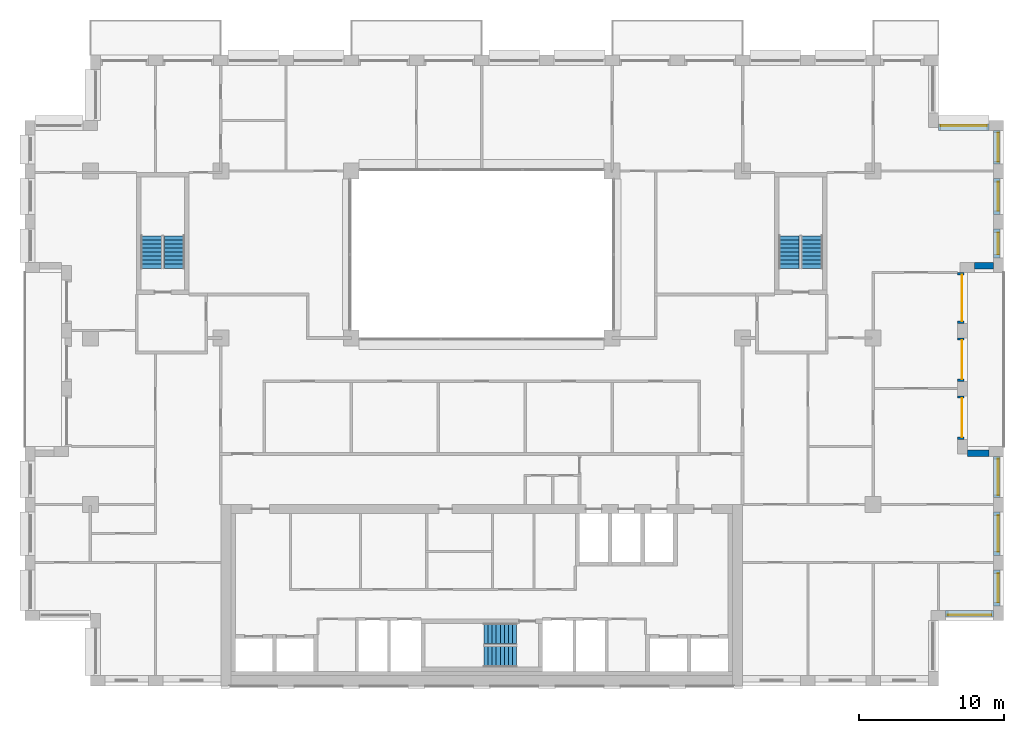
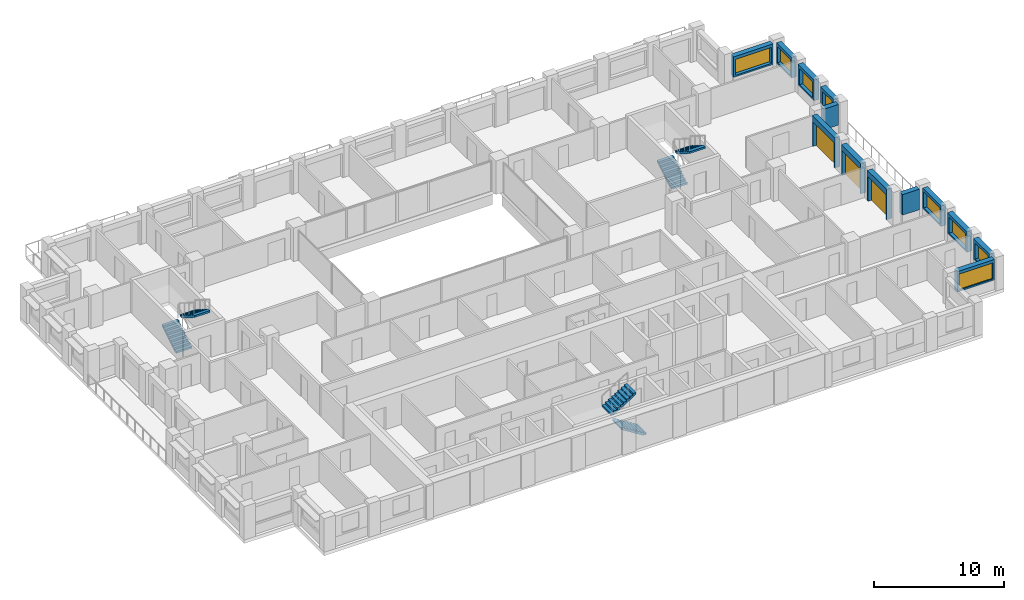
# One storey, part 14 of 15: 13 walls, 8 windows, 6 stair flights, 3 doors, 11 openings, 3 elements without a shape of their own.
"""IFC4 building model written with IfcOpenShell, lengths in metres."""

from ifc_helpers import new_model, si_unit, direction, frame, frame_2d, origin, place, context, subcontext, project, spatial, polyline, rectangle, outline, extrude, material, layer, layer_set, type_object, element, fill, aggregate, save


model = new_model("IFC4")

# Units and contexts
model_context = context("Model", 3, precision=1e-05, world=origin(), true_north=direction((0.0, 1.0)))
body_context = subcontext(model_context, "Body", "Model", "MODEL_VIEW")
ifc_project = project(units=[si_unit("LENGTHUNIT", "METRE"), si_unit("AREAUNIT", "SQUARE_METRE"), si_unit("VOLUMEUNIT", "CUBIC_METRE"), si_unit("PLANEANGLEUNIT", "RADIAN"), si_unit("MASSUNIT", "GRAM", prefix="KILO")], contexts=[model_context])

# Site, building, storey
site_placement = place(None, origin())
site = spatial("IfcSite", under=ifc_project, at=site_placement, CompositionType="ELEMENT")
building_placement = place(site_placement, origin())
building = spatial("IfcBuilding", under=site, at=building_placement, Name="Brigalow Station Residences", CompositionType="ELEMENT")
storey_placement = place(building_placement, frame((0.0, 0.0, 147.60009765625)))
storey = spatial("IfcBuildingStorey", under=building, at=storey_placement, Name="L42", CompositionType="ELEMENT", Elevation=147.60009765625)

# Wall, opening, window
ifc_material_1 = material(Name="Clay brick masonry", Category="masonry")
ifc_layer = layer(ifc_material_1, 0.449951171875)
ifc_layer_set = layer_set([ifc_layer], Name="BRICK INFILL WALL 450")
wall_type = type_object("IfcWallType", Name="BRICK INFILL WALL 450", PredefinedType="SOLIDWALL", material=ifc_layer_set)
wall_1_placement = place(storey_placement, frame((68.0, 4.97509765625, 0.89990234375), z_axis=(0.0, 0.0, 1.0), x_axis=(1.0, 0.0, 0.0)))
wall_1 = element("IfcWall", 1, at=wall_1_placement, inside=storey, type_object=wall_type, Name="L42/ewall/W-L42-8", PredefinedType="SOLIDWALL", context=body_context, shape_type="SweptSolid", body=[
    extrude(rectangle(XDim=3.300048828125, YDim=0.449951171875, at=frame_2d((1.64990234375, 0.0))), origin(), (0.0, 0.0, 1.0), 1.929931640625),
])
opening_1_placement = place(wall_1_placement, frame((0.14990234375, 0.0, 0.14990234375)))
opening_1 = element("IfcOpeningElement", 2, at=opening_1_placement, cuts=wall_1, Name="Opening WT-2", PredefinedType="OPENING", context=body_context, shape_type="SweptSolid", body=[
    extrude(rectangle(XDim=3.0, YDim=1.5, at=frame_2d((1.5, 0.75))), frame((0.0, 0.23486328125, 0.0), z_axis=(0.0, -1.0, 0.0), x_axis=(1.0, 0.0, 0.0)), (0.0, 0.0, 1.0), 0.469970703125),
])
ifc_material_2 = material(Name="Anodised aluminium frame with double glazing", Category="aluminium")
window_type_1 = type_object("IfcWindowType", Name="WINDOW 3000x1500", PartitioningType="SINGLE_PANEL", PredefinedType="WINDOW", material=ifc_material_2)
window_1_placement = place(opening_1_placement, origin())
window_1 = element("IfcWindow", 3, at=window_1_placement, inside=storey, type_object=window_type_1, Name="L42/window/W-L42-8", OverallHeight=1.5, OverallWidth=3.0, PartitioningType="SINGLE_PANEL", PredefinedType="WINDOW", context=body_context, shape_type="SweptSolid", body=[
    extrude(rectangle(XDim=3.0, YDim=1.5, at=frame_2d((1.5, 0.75))), frame((0.0, -0.06494140625, 0.0), z_axis=(0.0, -1.0, 0.0), x_axis=(1.0, 0.0, 0.0)), (0.0, 0.0, 1.0), 0.06005859375),
])
fill(opening_1, window_1)

wall_2_placement = place(storey_placement, frame((71.52490234375, 5.5, 0.89990234375), z_axis=(0.0, 0.0, 1.0), x_axis=(0.0, 1.0, 0.0)))
wall_2 = element("IfcWall", 4, at=wall_2_placement, inside=storey, type_object=wall_type, Name="L42/ewall/W-L42-9", PredefinedType="SOLIDWALL", context=body_context, shape_type="SweptSolid", body=[
    extrude(rectangle(XDim=2.5, YDim=0.449951171875, at=frame_2d((1.25, 0.0))), origin(), (0.0, 0.0, 1.0), 1.929931640625),
])
opening_2_placement = place(wall_2_placement, frame((0.25, 0.0, 0.14990234375)))
opening_2 = element("IfcOpeningElement", 5, at=opening_2_placement, cuts=wall_2, Name="Opening WT-7", PredefinedType="OPENING", context=body_context, shape_type="SweptSolid", body=[
    extrude(rectangle(XDim=2.0, YDim=1.5, at=frame_2d((1.0, 0.75))), frame((0.0, 0.23486328125, 0.0), z_axis=(0.0, -1.0, 0.0), x_axis=(1.0, 0.0, 0.0)), (0.0, 0.0, 1.0), 0.469970703125),
])
ifc_material_3 = material(Name="Anodised aluminium frame with double glazing", Category="aluminium")
window_type_2 = type_object("IfcWindowType", Name="WINDOW 2000x1500", PartitioningType="SINGLE_PANEL", PredefinedType="WINDOW", material=ifc_material_3)
window_2_placement = place(opening_2_placement, origin())
window_2 = element("IfcWindow", 6, at=window_2_placement, inside=storey, type_object=window_type_2, Name="L42/window/W-L42-9", OverallHeight=1.5, OverallWidth=2.0, PartitioningType="SINGLE_PANEL", PredefinedType="WINDOW", context=body_context, shape_type="SweptSolid", body=[
    extrude(rectangle(XDim=2.0, YDim=1.5, at=frame_2d((1.0, 0.75))), frame((0.0, -0.06494140625, 0.0), z_axis=(0.0, -1.0, 0.0), x_axis=(1.0, 0.0, 0.0)), (0.0, 0.0, 1.0), 0.06005859375),
])
fill(opening_2, window_2)

wall_3_placement = place(storey_placement, frame((71.52490234375, 9.0, 0.89990234375), z_axis=(0.0, 0.0, 1.0), x_axis=(0.0, 1.0, 0.0)))
wall_3 = element("IfcWall", 7, at=wall_3_placement, inside=storey, type_object=wall_type, Name="L42/ewall/W-L42-10", PredefinedType="SOLIDWALL", context=body_context, shape_type="SweptSolid", body=[
    extrude(rectangle(XDim=3.0, YDim=0.449951171875, at=frame_2d((1.5, 0.0))), origin(), (0.0, 0.0, 1.0), 1.929931640625),
])
opening_3_placement = place(wall_3_placement, frame((0.25, 0.0, 0.14990234375)))
opening_3 = element("IfcOpeningElement", 8, at=opening_3_placement, cuts=wall_3, Name="Opening WT-5", PredefinedType="OPENING", context=body_context, shape_type="SweptSolid", body=[
    extrude(rectangle(XDim=2.5, YDim=1.5, at=frame_2d((1.25, 0.75))), frame((0.0, 0.23486328125, 0.0), z_axis=(0.0, -1.0, 0.0), x_axis=(1.0, 0.0, 0.0)), (0.0, 0.0, 1.0), 0.469970703125),
])
ifc_material_4 = material(Name="Anodised aluminium frame with double glazing", Category="aluminium")
window_type_3 = type_object("IfcWindowType", Name="WINDOW 2500x1500", PartitioningType="SINGLE_PANEL", PredefinedType="WINDOW", material=ifc_material_4)
window_3_placement = place(opening_3_placement, origin())
window_3 = element("IfcWindow", 9, at=window_3_placement, inside=storey, type_object=window_type_3, Name="L42/window/W-L42-10", OverallHeight=1.5, OverallWidth=2.5, PartitioningType="SINGLE_PANEL", PredefinedType="WINDOW", context=body_context, shape_type="SweptSolid", body=[
    extrude(rectangle(XDim=2.5, YDim=1.5, at=frame_2d((1.25, 0.75))), frame((0.0, -0.06494140625, 0.0), z_axis=(0.0, -1.0, 0.0), x_axis=(1.0, 0.0, 0.0)), (0.0, 0.0, 1.0), 0.06005859375),
])
fill(opening_3, window_3)

wall_4_placement = place(storey_placement, frame((71.52490234375, 13.0, 0.89990234375), z_axis=(0.0, 0.0, 1.0), x_axis=(0.0, 1.0, 0.0)))
wall_4 = element("IfcWall", 10, at=wall_4_placement, inside=storey, type_object=wall_type, Name="L42/ewall/W-L42-11", PredefinedType="SOLIDWALL", context=body_context, shape_type="SweptSolid", body=[
    extrude(rectangle(XDim=2.800048828125, YDim=0.449951171875, at=frame_2d((1.39990234375, 0.0))), origin(), (0.0, 0.0, 1.0), 1.929931640625),
])
opening_4_placement = place(wall_4_placement, frame((0.14990234375, 0.0, 0.14990234375)))
opening_4 = element("IfcOpeningElement", 11, at=opening_4_placement, cuts=wall_4, Name="Opening WT-5", PredefinedType="OPENING", context=body_context, shape_type="SweptSolid", body=[
    extrude(rectangle(XDim=2.5, YDim=1.5, at=frame_2d((1.25, 0.75))), frame((0.0, 0.23486328125, 0.0), z_axis=(0.0, -1.0, 0.0), x_axis=(1.0, 0.0, 0.0)), (0.0, 0.0, 1.0), 0.469970703125),
])
window_4_placement = place(opening_4_placement, origin())
window_4 = element("IfcWindow", 12, at=window_4_placement, inside=storey, type_object=window_type_3, Name="L42/window/W-L42-11", OverallHeight=1.5, OverallWidth=2.5, PartitioningType="SINGLE_PANEL", PredefinedType="WINDOW", context=body_context, shape_type="SweptSolid", body=[
    extrude(rectangle(XDim=2.5, YDim=1.5, at=frame_2d((1.25, 0.75))), frame((0.0, -0.06494140625, 0.0), z_axis=(0.0, -1.0, 0.0), x_axis=(1.0, 0.0, 0.0)), (0.0, 0.0, 1.0), 0.06005859375),
])
fill(opening_4, window_4)

# Wall
wall_5_placement = place(storey_placement, frame((71.0, 16.02490234375, 0.89990234375), z_axis=(0.0, 0.0, 1.0), x_axis=(-1.0, 0.0, 0.0)))
element("IfcWall", 13, at=wall_5_placement, inside=storey, type_object=wall_type, Name="L42/ewall/W-L42-12", PredefinedType="SOLIDWALL", context=body_context, shape_type="SweptSolid", body=[
    extrude(rectangle(XDim=1.5, YDim=0.449951171875, at=frame_2d((0.75, 0.0))), origin(), (0.0, 0.0, 1.0), 1.929931640625),
])

# Wall, opening, door
wall_6_placement = place(storey_placement, frame((69.02490234375, 17.0, 0.0), z_axis=(0.0, 0.0, 1.0), x_axis=(0.0, 1.0, 0.0)))
wall_6 = element("IfcWall", 14, at=wall_6_placement, inside=storey, type_object=wall_type, Name="L42/ewall/W-L42-13", PredefinedType="SOLIDWALL", context=body_context, shape_type="SweptSolid", body=[
    extrude(rectangle(XDim=3.0, YDim=0.449951171875, at=frame_2d((1.5, 0.0))), origin(), (0.0, 0.0, 1.0), 2.829833984375),
])
opening_5_placement = place(wall_6_placement, frame((0.14990234375, 0.0, 0.0)))
opening_5 = element("IfcOpeningElement", 15, at=opening_5_placement, cuts=wall_6, Name="Opening D-B2700", PredefinedType="OPENING", context=body_context, shape_type="SweptSolid", body=[
    extrude(rectangle(XDim=2.699951171875, YDim=2.300048828125, at=frame_2d((1.35009765625, 1.14990234375))), frame((0.0, 0.23486328125, 0.0), z_axis=(0.0, -1.0, 0.0), x_axis=(1.0, 0.0, 0.0)), (0.0, 0.0, 1.0), 0.469970703125),
])
ifc_material_5 = material(Name="Anodised aluminium frame with double glazing", Category="aluminium")
door_type_1 = type_object("IfcDoorType", Name="BALCONY SLIDING DOOR 2700x2300", OperationType="SLIDING_TO_LEFT", PredefinedType="DOOR", material=ifc_material_5)
door_1_placement = place(opening_5_placement, origin())
door_1 = element("IfcDoor", 16, at=door_1_placement, inside=storey, type_object=door_type_1, Name="L42/balcony-door/W-L42-13", OperationType="SLIDING_TO_LEFT", OverallHeight=2.300048828125, OverallWidth=2.699951171875, PredefinedType="DOOR", context=body_context, shape_type="SweptSolid", body=[
    extrude(rectangle(XDim=2.699951171875, YDim=2.300048828125, at=frame_2d((1.35009765625, 1.14990234375))), frame((0.0, -0.06982421875, 0.0), z_axis=(0.0, -1.0, 0.0), x_axis=(1.0, 0.0, 0.0)), (0.0, 0.0, 1.0), 0.050048828125),
])
fill(opening_5, door_1)

wall_7_placement = place(storey_placement, frame((69.02490234375, 21.0, 0.0), z_axis=(0.0, 0.0, 1.0), x_axis=(0.0, 1.0, 0.0)))
wall_7 = element("IfcWall", 17, at=wall_7_placement, inside=storey, type_object=wall_type, Name="L42/ewall/W-L42-14", PredefinedType="SOLIDWALL", context=body_context, shape_type="SweptSolid", body=[
    extrude(rectangle(XDim=3.0, YDim=0.449951171875, at=frame_2d((1.5, 0.0))), origin(), (0.0, 0.0, 1.0), 2.829833984375),
])
opening_6_placement = place(wall_7_placement, frame((0.14990234375, 0.0, 0.0)))
opening_6 = element("IfcOpeningElement", 18, at=opening_6_placement, cuts=wall_7, Name="Opening D-B2700", PredefinedType="OPENING", context=body_context, shape_type="SweptSolid", body=[
    extrude(rectangle(XDim=2.699951171875, YDim=2.300048828125, at=frame_2d((1.35009765625, 1.14990234375))), frame((0.0, 0.23486328125, 0.0), z_axis=(0.0, -1.0, 0.0), x_axis=(1.0, 0.0, 0.0)), (0.0, 0.0, 1.0), 0.469970703125),
])
door_2_placement = place(opening_6_placement, origin())
door_2 = element("IfcDoor", 19, at=door_2_placement, inside=storey, type_object=door_type_1, Name="L42/balcony-door/W-L42-14", OperationType="SLIDING_TO_LEFT", OverallHeight=2.300048828125, OverallWidth=2.699951171875, PredefinedType="DOOR", context=body_context, shape_type="SweptSolid", body=[
    extrude(rectangle(XDim=2.699951171875, YDim=2.300048828125, at=frame_2d((1.35009765625, 1.14990234375))), frame((0.0, -0.06982421875, 0.0), z_axis=(0.0, -1.0, 0.0), x_axis=(1.0, 0.0, 0.0)), (0.0, 0.0, 1.0), 0.050048828125),
])
fill(opening_6, door_2)

wall_8_placement = place(storey_placement, frame((69.02490234375, 25.0, 0.0), z_axis=(0.0, 0.0, 1.0), x_axis=(0.0, 1.0, 0.0)))
wall_8 = element("IfcWall", 20, at=wall_8_placement, inside=storey, type_object=wall_type, Name="L42/ewall/W-L42-15", PredefinedType="SOLIDWALL", context=body_context, shape_type="SweptSolid", body=[
    extrude(rectangle(XDim=3.5, YDim=0.449951171875, at=frame_2d((1.75, 0.0))), origin(), (0.0, 0.0, 1.0), 2.829833984375),
])
opening_7_placement = place(wall_8_placement, frame((0.14990234375, 0.0, 0.0)))
opening_7 = element("IfcOpeningElement", 21, at=opening_7_placement, cuts=wall_8, Name="Opening D-B3200", PredefinedType="OPENING", context=body_context, shape_type="SweptSolid", body=[
    extrude(rectangle(XDim=3.199951171875, YDim=2.300048828125, at=frame_2d((1.60009765625, 1.14990234375))), frame((0.0, 0.23486328125, 0.0), z_axis=(0.0, -1.0, 0.0), x_axis=(1.0, 0.0, 0.0)), (0.0, 0.0, 1.0), 0.469970703125),
])
ifc_material_6 = material(Name="Anodised aluminium frame with double glazing", Category="aluminium")
door_type_2 = type_object("IfcDoorType", Name="BALCONY SLIDING DOOR 3200x2300", OperationType="SLIDING_TO_LEFT", PredefinedType="DOOR", material=ifc_material_6)
door_3_placement = place(opening_7_placement, origin())
door_3 = element("IfcDoor", 22, at=door_3_placement, inside=storey, type_object=door_type_2, Name="L42/balcony-door/W-L42-15", OperationType="SLIDING_TO_LEFT", OverallHeight=2.300048828125, OverallWidth=3.199951171875, PredefinedType="DOOR", context=body_context, shape_type="SweptSolid", body=[
    extrude(rectangle(XDim=3.199951171875, YDim=2.300048828125, at=frame_2d((1.60009765625, 1.14990234375))), frame((0.0, -0.06982421875, 0.0), z_axis=(0.0, -1.0, 0.0), x_axis=(1.0, 0.0, 0.0)), (0.0, 0.0, 1.0), 0.050048828125),
])
fill(opening_7, door_3)

# Wall
wall_9_placement = place(storey_placement, frame((70.0, 28.97509765625, 0.89990234375), z_axis=(0.0, 0.0, 1.0), x_axis=(1.0, 0.0, 0.0)))
element("IfcWall", 23, at=wall_9_placement, inside=storey, type_object=wall_type, Name="L42/ewall/W-L42-16", PredefinedType="SOLIDWALL", context=body_context, shape_type="SweptSolid", body=[
    extrude(rectangle(XDim=1.300048828125, YDim=0.449951171875, at=frame_2d((0.64990234375, 0.0))), origin(), (0.0, 0.0, 1.0), 1.929931640625),
])

# Wall, opening, window
wall_10_placement = place(storey_placement, frame((71.52490234375, 29.5, 0.89990234375), z_axis=(0.0, 0.0, 1.0), x_axis=(0.0, 1.0, 0.0)))
wall_10 = element("IfcWall", 24, at=wall_10_placement, inside=storey, type_object=wall_type, Name="L42/ewall/W-L42-17", PredefinedType="SOLIDWALL", context=body_context, shape_type="SweptSolid", body=[
    extrude(rectangle(XDim=2.0, YDim=0.449951171875, at=frame_2d((1.0, 0.0))), origin(), (0.0, 0.0, 1.0), 1.929931640625),
])
opening_8_placement = place(wall_10_placement, frame((0.25, 0.0, 0.14990234375)))
opening_8 = element("IfcOpeningElement", 25, at=opening_8_placement, cuts=wall_10, Name="Opening WT-1", PredefinedType="OPENING", context=body_context, shape_type="SweptSolid", body=[
    extrude(rectangle(XDim=1.5, YDim=1.5, at=frame_2d((0.75, 0.75))), frame((0.0, 0.23486328125, 0.0), z_axis=(0.0, -1.0, 0.0), x_axis=(1.0, 0.0, 0.0)), (0.0, 0.0, 1.0), 0.469970703125),
])
ifc_material_7 = material(Name="Anodised aluminium frame with double glazing", Category="aluminium")
window_type_4 = type_object("IfcWindowType", Name="WINDOW 1500x1500", PartitioningType="SINGLE_PANEL", PredefinedType="WINDOW", material=ifc_material_7)
window_5_placement = place(opening_8_placement, origin())
window_5 = element("IfcWindow", 26, at=window_5_placement, inside=storey, type_object=window_type_4, Name="L42/window/W-L42-17", OverallHeight=1.5, OverallWidth=1.5, PartitioningType="SINGLE_PANEL", PredefinedType="WINDOW", context=body_context, shape_type="SweptSolid", body=[
    extrude(rectangle(XDim=1.5, YDim=1.5, at=frame_2d((0.75, 0.75))), frame((0.0, -0.06494140625, 0.0), z_axis=(0.0, -1.0, 0.0), x_axis=(1.0, 0.0, 0.0)), (0.0, 0.0, 1.0), 0.06005859375),
])
fill(opening_8, window_5)

wall_11_placement = place(storey_placement, frame((71.52490234375, 32.5, 0.89990234375), z_axis=(0.0, 0.0, 1.0), x_axis=(0.0, 1.0, 0.0)))
wall_11 = element("IfcWall", 27, at=wall_11_placement, inside=storey, type_object=wall_type, Name="L42/ewall/W-L42-18", PredefinedType="SOLIDWALL", context=body_context, shape_type="SweptSolid", body=[
    extrude(rectangle(XDim=2.5, YDim=0.449951171875, at=frame_2d((1.25, 0.0))), origin(), (0.0, 0.0, 1.0), 1.929931640625),
])
opening_9_placement = place(wall_11_placement, frame((0.25, 0.0, 0.14990234375)))
opening_9 = element("IfcOpeningElement", 28, at=opening_9_placement, cuts=wall_11, Name="Opening WT-7", PredefinedType="OPENING", context=body_context, shape_type="SweptSolid", body=[
    extrude(rectangle(XDim=2.0, YDim=1.5, at=frame_2d((1.0, 0.75))), frame((0.0, 0.23486328125, 0.0), z_axis=(0.0, -1.0, 0.0), x_axis=(1.0, 0.0, 0.0)), (0.0, 0.0, 1.0), 0.469970703125),
])
window_6_placement = place(opening_9_placement, origin())
window_6 = element("IfcWindow", 29, at=window_6_placement, inside=storey, type_object=window_type_2, Name="L42/window/W-L42-18", OverallHeight=1.5, OverallWidth=2.0, PartitioningType="SINGLE_PANEL", PredefinedType="WINDOW", context=body_context, shape_type="SweptSolid", body=[
    extrude(rectangle(XDim=2.0, YDim=1.5, at=frame_2d((1.0, 0.75))), frame((0.0, -0.06494140625, 0.0), z_axis=(0.0, -1.0, 0.0), x_axis=(1.0, 0.0, 0.0)), (0.0, 0.0, 1.0), 0.06005859375),
])
fill(opening_9, window_6)

wall_12_placement = place(storey_placement, frame((71.52490234375, 36.0, 0.89990234375), z_axis=(0.0, 0.0, 1.0), x_axis=(0.0, 1.0, 0.0)))
wall_12 = element("IfcWall", 30, at=wall_12_placement, inside=storey, type_object=wall_type, Name="L42/ewall/W-L42-19", PredefinedType="SOLIDWALL", context=body_context, shape_type="SweptSolid", body=[
    extrude(rectangle(XDim=2.300048828125, YDim=0.449951171875, at=frame_2d((1.14990234375, 0.0))), origin(), (0.0, 0.0, 1.0), 1.929931640625),
])
opening_10_placement = place(wall_12_placement, frame((0.14990234375, 0.0, 0.14990234375)))
opening_10 = element("IfcOpeningElement", 31, at=opening_10_placement, cuts=wall_12, Name="Opening WT-7", PredefinedType="OPENING", context=body_context, shape_type="SweptSolid", body=[
    extrude(rectangle(XDim=2.0, YDim=1.5, at=frame_2d((1.0, 0.75))), frame((0.0, 0.23486328125, 0.0), z_axis=(0.0, -1.0, 0.0), x_axis=(1.0, 0.0, 0.0)), (0.0, 0.0, 1.0), 0.469970703125),
])
window_7_placement = place(opening_10_placement, origin())
window_7 = element("IfcWindow", 32, at=window_7_placement, inside=storey, type_object=window_type_2, Name="L42/window/W-L42-19", OverallHeight=1.5, OverallWidth=2.0, PartitioningType="SINGLE_PANEL", PredefinedType="WINDOW", context=body_context, shape_type="SweptSolid", body=[
    extrude(rectangle(XDim=2.0, YDim=1.5, at=frame_2d((1.0, 0.75))), frame((0.0, -0.06494140625, 0.0), z_axis=(0.0, -1.0, 0.0), x_axis=(1.0, 0.0, 0.0)), (0.0, 0.0, 1.0), 0.06005859375),
])
fill(opening_10, window_7)

wall_13_placement = place(storey_placement, frame((71.0, 38.52490234375, 0.89990234375), z_axis=(0.0, 0.0, 1.0), x_axis=(-1.0, 0.0, 0.0)))
wall_13 = element("IfcWall", 33, at=wall_13_placement, inside=storey, type_object=wall_type, Name="L42/ewall/W-L42-20", PredefinedType="SOLIDWALL", context=body_context, shape_type="SweptSolid", body=[
    extrude(rectangle(XDim=3.5, YDim=0.449951171875, at=frame_2d((1.75, 0.0))), origin(), (0.0, 0.0, 1.0), 1.929931640625),
])
opening_11_placement = place(wall_13_placement, frame((0.14990234375, 0.0, 0.14990234375)))
opening_11 = element("IfcOpeningElement", 34, at=opening_11_placement, cuts=wall_13, Name="Opening WT-9", PredefinedType="OPENING", context=body_context, shape_type="SweptSolid", body=[
    extrude(rectangle(XDim=3.199951171875, YDim=1.5, at=frame_2d((1.60009765625, 0.75))), frame((0.0, 0.23486328125, 0.0), z_axis=(0.0, -1.0, 0.0), x_axis=(1.0, 0.0, 0.0)), (0.0, 0.0, 1.0), 0.469970703125),
])
ifc_material_8 = material(Name="Anodised aluminium frame with double glazing", Category="aluminium")
window_type_5 = type_object("IfcWindowType", Name="WINDOW 3200x1500", PartitioningType="SINGLE_PANEL", PredefinedType="WINDOW", material=ifc_material_8)
window_8_placement = place(opening_11_placement, origin())
window_8 = element("IfcWindow", 35, at=window_8_placement, inside=storey, type_object=window_type_5, Name="L42/window/W-L42-20", OverallHeight=1.5, OverallWidth=3.199951171875, PartitioningType="SINGLE_PANEL", PredefinedType="WINDOW", context=body_context, shape_type="SweptSolid", body=[
    extrude(rectangle(XDim=3.199951171875, YDim=1.5, at=frame_2d((1.60009765625, 0.75))), frame((0.0, -0.06494140625, 0.0), z_axis=(0.0, -1.0, 0.0), x_axis=(1.0, 0.0, 0.0)), (0.0, 0.0, 1.0), 0.06005859375),
])
fill(opening_11, window_8)

# Stair, stair flights
ifc_material_9 = material(Name="Concrete C50", Category="concrete")
stair_type = type_object("IfcStairType", Name="EXIT STAIR 1400 2 FLIGHT", PredefinedType="HALF_TURN_STAIR", material=ifc_material_9)
stair_1_placement = place(storey_placement, origin())
stair_1 = element("IfcStair", 36, at=stair_1_placement, inside=storey, type_object=stair_type, Name="EXIT STAIR S2 L42", PredefinedType="HALF_TURN_STAIR")
ifc_material_10 = material(Name="Concrete C50", Category="concrete")
stair_flight_type = type_object("IfcStairFlightType", Name="STAIR FLIGHT 1400", PredefinedType="STRAIGHT", material=ifc_material_10)
stair_flight_1_placement = place(storey_placement, frame((38.39990234375, 2.0, 0.0), z_axis=(0.0, 0.0, 1.0), x_axis=(-1.0, 0.0, 0.0)))
stair_flight_1 = element("IfcStairFlight", 37, at=stair_flight_1_placement, type_object=stair_flight_type, Name="ST-2 flight 1", NumberOfRisers=9, NumberOfTreads=8, PredefinedType="STRAIGHT", RiserHeight=0.175, TreadLength=0.28, context=body_context, shape_type="SweptSolid", body=[
    extrude(outline(polyline([(0.0, 0.0), (0.0, 0.175048828125), (0.280029296875, 0.175048828125), (0.280029296875, 0.35009765625), (0.56005859375, 0.35009765625), (0.56005859375, 0.52490234375), (0.840087890625, 0.52490234375), (0.840087890625, 0.699951171875), (1.1201171875, 0.699951171875), (1.1201171875, 0.875), (1.39990234375, 0.875), (1.39990234375, 1.050048828125), (1.679931640625, 1.050048828125), (1.679931640625, 1.22509765625), (1.9599609375, 1.22509765625), (1.9599609375, 1.39990234375), (2.239990234375, 1.39990234375), (2.239990234375, 1.574951171875), (2.239990234375, 1.22314453125), (0.28271484375, 0.0), (0.0, 0.0)])), frame((0.0, 0.699951171875, 0.0), z_axis=(0.0, -1.0, 0.0), x_axis=(1.0, 0.0, 0.0)), (0.0, 0.0, 1.0), 1.39990234375),
])
stair_flight_2_placement = place(storey_placement, frame((36.159912109375, 3.60009765625, 1.574951171875), z_axis=(0.0, 0.0, 1.0), x_axis=(1.0, 0.0, 0.0)))
stair_flight_2 = element("IfcStairFlight", 38, at=stair_flight_2_placement, type_object=stair_flight_type, Name="ST-2 flight 2", NumberOfRisers=9, NumberOfTreads=8, PredefinedType="STRAIGHT", RiserHeight=0.175, TreadLength=0.28, context=body_context, shape_type="SweptSolid", body=[
    extrude(outline(polyline([(0.0, 0.0), (0.0, 0.175048828125), (0.280029296875, 0.175048828125), (0.280029296875, 0.35009765625), (0.56005859375, 0.35009765625), (0.56005859375, 0.52490234375), (0.840087890625, 0.52490234375), (0.840087890625, 0.699951171875), (1.1201171875, 0.699951171875), (1.1201171875, 0.875), (1.39990234375, 0.875), (1.39990234375, 1.050048828125), (1.679931640625, 1.050048828125), (1.679931640625, 1.22509765625), (1.9599609375, 1.22509765625), (1.9599609375, 1.39990234375), (2.239990234375, 1.39990234375), (2.239990234375, 1.574951171875), (2.239990234375, 1.22314453125), (0.28271484375, 0.0), (0.0, 0.0)])), frame((0.0, 0.699951171875, 0.0), z_axis=(0.0, -1.0, 0.0), x_axis=(1.0, 0.0, 0.0)), (0.0, 0.0, 1.0), 1.39990234375),
])
aggregate(stair_1, [stair_flight_1, stair_flight_2])

stair_2_placement = place(storey_placement, origin())
stair_2 = element("IfcStair", 39, at=stair_2_placement, inside=storey, type_object=stair_type, Name="EXIT STAIR S1 L42", PredefinedType="HALF_TURN_STAIR")
stair_flight_3_placement = place(storey_placement, frame((13.199951171875, 28.800048828125, 0.0), z_axis=(0.0, 0.0, 1.0), x_axis=(0.0, 1.0, 0.0)))
stair_flight_3 = element("IfcStairFlight", 40, at=stair_flight_3_placement, type_object=stair_flight_type, Name="ST-1 flight 1", NumberOfRisers=9, NumberOfTreads=8, PredefinedType="STRAIGHT", RiserHeight=0.175, TreadLength=0.28, context=body_context, shape_type="SweptSolid", body=[
    extrude(outline(polyline([(0.0, 0.0), (0.0, 0.175048828125), (0.280029296875, 0.175048828125), (0.280029296875, 0.35009765625), (0.56005859375, 0.35009765625), (0.56005859375, 0.52490234375), (0.840087890625, 0.52490234375), (0.840087890625, 0.699951171875), (1.1201171875, 0.699951171875), (1.1201171875, 0.875), (1.39990234375, 0.875), (1.39990234375, 1.050048828125), (1.679931640625, 1.050048828125), (1.679931640625, 1.22509765625), (1.9599609375, 1.22509765625), (1.9599609375, 1.39990234375), (2.239990234375, 1.39990234375), (2.239990234375, 1.574951171875), (2.239990234375, 1.22314453125), (0.28271484375, 0.0), (0.0, 0.0)])), frame((0.0, 0.699951171875, 0.0), z_axis=(0.0, -1.0, 0.0), x_axis=(1.0, 0.0, 0.0)), (0.0, 0.0, 1.0), 1.39990234375),
])
stair_flight_4_placement = place(storey_placement, frame((14.800048828125, 31.0400390625, 1.574951171875), z_axis=(0.0, 0.0, 1.0), x_axis=(0.0, -1.0, 0.0)))
stair_flight_4 = element("IfcStairFlight", 41, at=stair_flight_4_placement, type_object=stair_flight_type, Name="ST-1 flight 2", NumberOfRisers=9, NumberOfTreads=8, PredefinedType="STRAIGHT", RiserHeight=0.175, TreadLength=0.28, context=body_context, shape_type="SweptSolid", body=[
    extrude(outline(polyline([(0.0, 0.0), (0.0, 0.175048828125), (0.280029296875, 0.175048828125), (0.280029296875, 0.35009765625), (0.56005859375, 0.35009765625), (0.56005859375, 0.52490234375), (0.840087890625, 0.52490234375), (0.840087890625, 0.699951171875), (1.1201171875, 0.699951171875), (1.1201171875, 0.875), (1.39990234375, 0.875), (1.39990234375, 1.050048828125), (1.679931640625, 1.050048828125), (1.679931640625, 1.22509765625), (1.9599609375, 1.22509765625), (1.9599609375, 1.39990234375), (2.239990234375, 1.39990234375), (2.239990234375, 1.574951171875), (2.239990234375, 1.22314453125), (0.28271484375, 0.0), (0.0, 0.0)])), frame((0.0, 0.699951171875, 0.0), z_axis=(0.0, -1.0, 0.0), x_axis=(1.0, 0.0, 0.0)), (0.0, 0.0, 1.0), 1.39990234375),
])
aggregate(stair_2, [stair_flight_3, stair_flight_4])

stair_3_placement = place(storey_placement, origin())
stair_3 = element("IfcStair", 42, at=stair_3_placement, inside=storey, type_object=stair_type, Name="EXIT STAIR S3 L42", PredefinedType="HALF_TURN_STAIR")
stair_flight_5_placement = place(storey_placement, frame((57.199951171875, 28.800048828125, 0.0), z_axis=(0.0, 0.0, 1.0), x_axis=(0.0, 1.0, 0.0)))
stair_flight_5 = element("IfcStairFlight", 43, at=stair_flight_5_placement, type_object=stair_flight_type, Name="ST-3 flight 1", NumberOfRisers=9, NumberOfTreads=8, PredefinedType="STRAIGHT", RiserHeight=0.175, TreadLength=0.28, context=body_context, shape_type="SweptSolid", body=[
    extrude(outline(polyline([(0.0, 0.0), (0.0, 0.175048828125), (0.280029296875, 0.175048828125), (0.280029296875, 0.35009765625), (0.56005859375, 0.35009765625), (0.56005859375, 0.52490234375), (0.840087890625, 0.52490234375), (0.840087890625, 0.699951171875), (1.1201171875, 0.699951171875), (1.1201171875, 0.875), (1.39990234375, 0.875), (1.39990234375, 1.050048828125), (1.679931640625, 1.050048828125), (1.679931640625, 1.22509765625), (1.9599609375, 1.22509765625), (1.9599609375, 1.39990234375), (2.239990234375, 1.39990234375), (2.239990234375, 1.574951171875), (2.239990234375, 1.22314453125), (0.28271484375, 0.0), (0.0, 0.0)])), frame((0.0, 0.699951171875, 0.0), z_axis=(0.0, -1.0, 0.0), x_axis=(1.0, 0.0, 0.0)), (0.0, 0.0, 1.0), 1.39990234375),
])
stair_flight_6_placement = place(storey_placement, frame((58.800048828125, 31.0400390625, 1.574951171875), z_axis=(0.0, 0.0, 1.0), x_axis=(0.0, -1.0, 0.0)))
stair_flight_6 = element("IfcStairFlight", 44, at=stair_flight_6_placement, type_object=stair_flight_type, Name="ST-3 flight 2", NumberOfRisers=9, NumberOfTreads=8, PredefinedType="STRAIGHT", RiserHeight=0.175, TreadLength=0.28, context=body_context, shape_type="SweptSolid", body=[
    extrude(outline(polyline([(0.0, 0.0), (0.0, 0.175048828125), (0.280029296875, 0.175048828125), (0.280029296875, 0.35009765625), (0.56005859375, 0.35009765625), (0.56005859375, 0.52490234375), (0.840087890625, 0.52490234375), (0.840087890625, 0.699951171875), (1.1201171875, 0.699951171875), (1.1201171875, 0.875), (1.39990234375, 0.875), (1.39990234375, 1.050048828125), (1.679931640625, 1.050048828125), (1.679931640625, 1.22509765625), (1.9599609375, 1.22509765625), (1.9599609375, 1.39990234375), (2.239990234375, 1.39990234375), (2.239990234375, 1.574951171875), (2.239990234375, 1.22314453125), (0.28271484375, 0.0), (0.0, 0.0)])), frame((0.0, 0.699951171875, 0.0), z_axis=(0.0, -1.0, 0.0), x_axis=(1.0, 0.0, 0.0)), (0.0, 0.0, 1.0), 1.39990234375),
])
aggregate(stair_3, [stair_flight_5, stair_flight_6])

save(model, "model.ifc")
